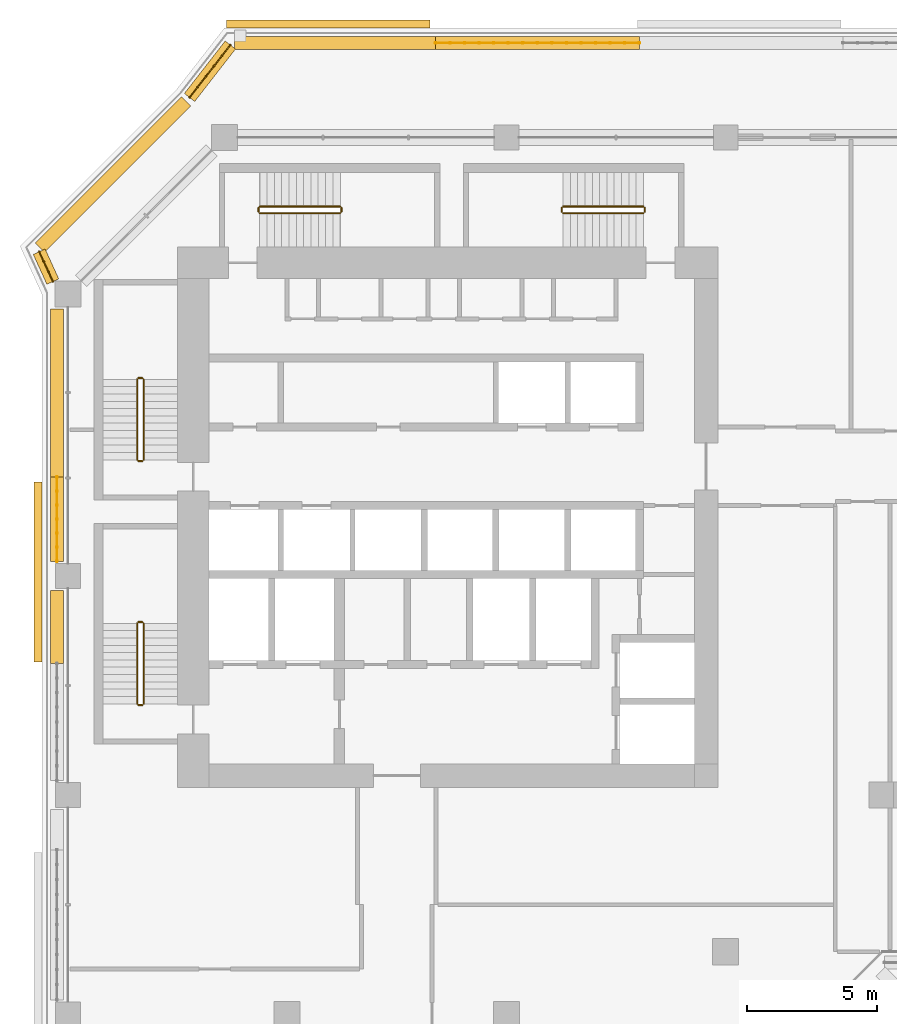
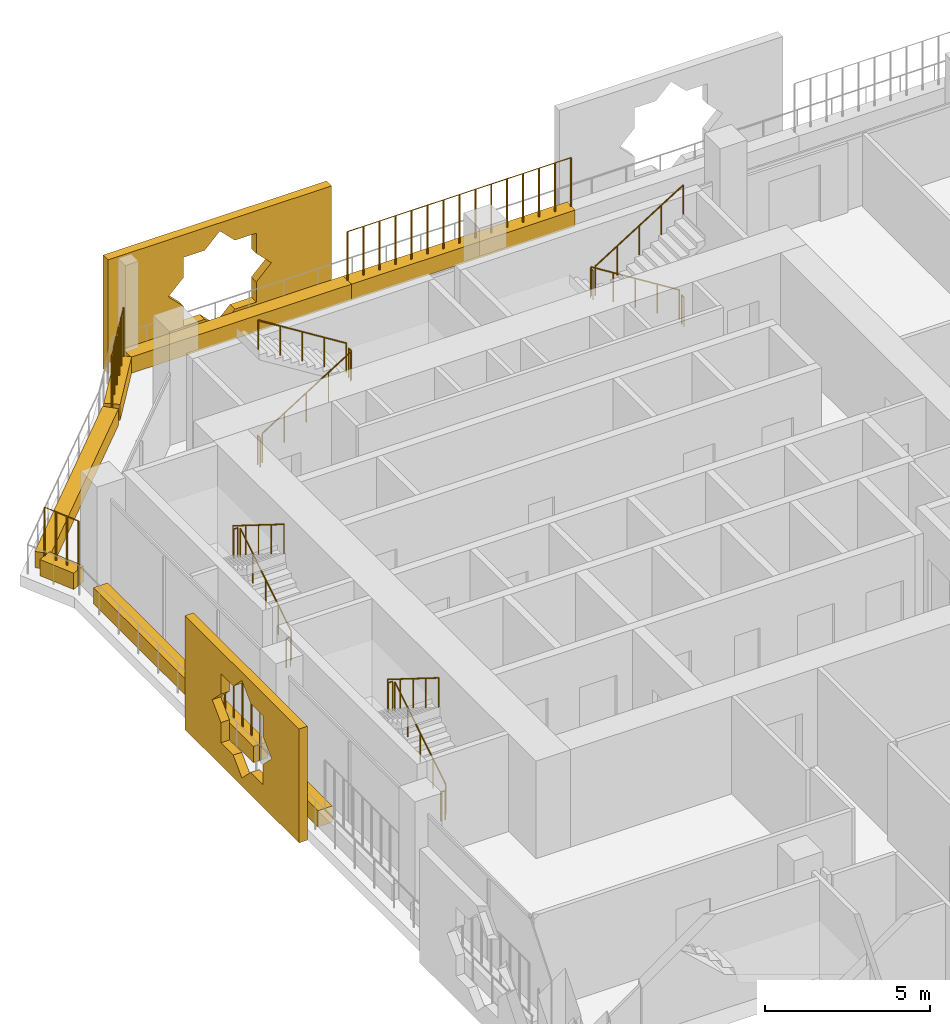
# One storey, part 19 of 23: 20 railings, 10 coverings.
"""IFC4 building model written with IfcOpenShell, lengths in metres."""

from ifc_helpers import new_model, si_unit, direction, frame, origin, origin_2d, place, context, subcontext, project, spatial, polyline, rectangle, circle, outline, extrude, material, material_profile, profile_set, type_object, element, save


model = new_model("IFC4")

# Units and contexts
model_context = context("Model", 3, precision=1e-05, world=origin(), true_north=direction((0.0, 1.0)))
body_context = subcontext(model_context, "Body", "Model", "MODEL_VIEW")
ifc_project = project(units=[si_unit("LENGTHUNIT", "METRE"), si_unit("AREAUNIT", "SQUARE_METRE"), si_unit("VOLUMEUNIT", "CUBIC_METRE"), si_unit("PLANEANGLEUNIT", "RADIAN"), si_unit("MASSUNIT", "GRAM", prefix="KILO")], contexts=[model_context])

# Site, building, storey
site_placement = place(None, origin())
site = spatial("IfcSite", under=ifc_project, at=site_placement, CompositionType="ELEMENT")
building_placement = place(site_placement, origin())
building = spatial("IfcBuilding", under=site, at=building_placement, Name="Kawkab Arch Medical Tower", CompositionType="ELEMENT")
storey_placement = place(building_placement, frame((0.0, 0.0, 175.199951171875)))
storey = spatial("IfcBuildingStorey", under=building, at=storey_placement, Name="L40", CompositionType="ELEMENT", Elevation=175.199951171875)

# Coverings
ifc_material_1 = material(Name="Bronze anodised aluminium mashrabiya panel, eight-point star pattern", Category="aluminium")
ifc_material_profile_1 = material_profile(ifc_material_1, outline(polyline([(-3.449951171875, -2.10009765625), (3.449951171875, -2.10009765625), (3.449951171875, 2.10009765625), (-3.449951171875, 2.10009765625), (-3.449951171875, -2.10009765625)]), holes=[polyline([(1.800048828125, 0.0), (1.272705078125, 0.527099609375), (1.272705078125, 1.272705078125), (0.527099609375, 1.272705078125), (0.0, 1.800048828125), (-0.527099609375, 1.272705078125), (-1.272705078125, 1.272705078125), (-1.272705078125, 0.527099609375), (-1.800048828125, 0.0), (-1.272705078125, -0.527099609375), (-1.272705078125, -1.272705078125), (-0.527099609375, -1.272705078125), (0.0, -1.800048828125), (0.527099609375, -1.272705078125), (1.272705078125, -1.272705078125), (1.272705078125, -0.527099609375), (1.800048828125, 0.0)])]), Name="Mashrabiya panel 6900x4200")
ifc_profile_set_1 = profile_set([ifc_material_profile_1], Name="Bronze anodised aluminium mashrabiya panel, eight-point star pattern")
covering_type_1 = type_object("IfcCoveringType", Name="Mashrabiya panel 6900 x 4200", PredefinedType="USERDEFINED", material=ifc_profile_set_1)
covering_1_placement = place(storey_placement, frame((-1.0, -16.64892578125, 1.699951171875), z_axis=(-1.0, 0.0, 0.0), x_axis=(0.0, -1.0, 0.0)))
element("IfcCovering", 1, at=covering_1_placement, inside=storey, type_object=covering_type_1, Name="Mashrabiya panel L40.LOG-01-01.4", ObjectType="SCREEN", PredefinedType="USERDEFINED", context=body_context, shape_type="SweptSolid", body=[
    extrude(outline(polyline([(-3.449951171875, -2.10009765625), (3.449951171875, -2.10009765625), (3.449951171875, 2.10009765625), (-3.449951171875, 2.10009765625), (-3.449951171875, -2.10009765625)]), holes=[polyline([(1.800048828125, 0.0), (1.272705078125, 0.527099609375), (1.272705078125, 1.272705078125), (0.527099609375, 1.272705078125), (0.0, 1.800048828125), (-0.527099609375, 1.272705078125), (-1.272705078125, 1.272705078125), (-1.272705078125, 0.527099609375), (-1.800048828125, 0.0), (-1.272705078125, -0.527099609375), (-1.272705078125, -1.272705078125), (-0.527099609375, -1.272705078125), (0.0, -1.800048828125), (0.527099609375, -1.272705078125), (1.272705078125, -1.272705078125), (1.272705078125, -0.527099609375), (1.800048828125, 0.0)])]), origin(), (0.0, 0.0, 1.0), 0.300048828125),
])
ifc_material_2 = material(Name="Bronze anodised aluminium mashrabiya panel, eight-point star pattern", Category="aluminium")
ifc_material_profile_2 = material_profile(ifc_material_2, outline(polyline([(-3.89990234375, -2.10009765625), (3.89990234375, -2.10009765625), (3.89990234375, 2.10009765625), (-3.89990234375, 2.10009765625), (-3.89990234375, -2.10009765625)]), holes=[polyline([(1.800048828125, 0.0), (1.272705078125, 0.527099609375), (1.272705078125, 1.272705078125), (0.527099609375, 1.272705078125), (0.0, 1.800048828125), (-0.527099609375, 1.272705078125), (-1.272705078125, 1.272705078125), (-1.272705078125, 0.527099609375), (-1.800048828125, 0.0), (-1.272705078125, -0.527099609375), (-1.272705078125, -1.272705078125), (-0.527099609375, -1.272705078125), (0.0, -1.800048828125), (0.527099609375, -1.272705078125), (1.272705078125, -1.272705078125), (1.272705078125, -0.527099609375), (1.800048828125, 0.0)])]), Name="Mashrabiya panel 7800x4200")
ifc_profile_set_2 = profile_set([ifc_material_profile_2], Name="Bronze anodised aluminium mashrabiya panel, eight-point star pattern")
covering_type_2 = type_object("IfcCoveringType", Name="Mashrabiya panel 7800 x 4200", PredefinedType="USERDEFINED", material=ifc_profile_set_2)
covering_2_placement = place(storey_placement, frame((9.967041015625, 4.199951171875, 1.699951171875), z_axis=(0.0, 1.0, 0.0), x_axis=(-1.0, 0.0, 0.0)))
element("IfcCovering", 2, at=covering_2_placement, inside=storey, type_object=covering_type_2, Name="Mashrabiya panel L40.LOG-01-01.5", ObjectType="SCREEN", PredefinedType="USERDEFINED", context=body_context, shape_type="SweptSolid", body=[
    extrude(outline(polyline([(-3.89990234375, -2.10009765625), (3.89990234375, -2.10009765625), (3.89990234375, 2.10009765625), (-3.89990234375, 2.10009765625), (-3.89990234375, -2.10009765625)]), holes=[polyline([(1.800048828125, 0.0), (1.272705078125, 0.527099609375), (1.272705078125, 1.272705078125), (0.527099609375, 1.272705078125), (0.0, 1.800048828125), (-0.527099609375, 1.272705078125), (-1.272705078125, 1.272705078125), (-1.272705078125, 0.527099609375), (-1.800048828125, 0.0), (-1.272705078125, -0.527099609375), (-1.272705078125, -1.272705078125), (-0.527099609375, -1.272705078125), (0.0, -1.800048828125), (0.527099609375, -1.272705078125), (1.272705078125, -1.272705078125), (1.272705078125, -0.527099609375), (1.800048828125, 0.0)])]), origin(), (0.0, 0.0, 1.0), 0.300048828125),
])
ifc_material_3 = material(Name="Planting soil in a precast trough", Category="concrete")
ifc_material_profile_3 = material_profile(ifc_material_3, rectangle(XDim=0.5, YDim=0.60009765625, at=origin_2d()), Name="Trough 500x600")
ifc_profile_set_3 = profile_set([ifc_material_profile_3], Name="Planting soil in a precast trough")
covering_type_3 = type_object("IfcCoveringType", Name="Planter trough 500 x 600", PredefinedType="USERDEFINED", material=ifc_profile_set_3)
covering_3_placement = place(storey_placement, frame((-0.419921875, -20.157958984375, 0.300048828125), z_axis=(0.0, 1.0, 0.0), x_axis=(-1.0, 0.0, 0.0)))
element("IfcCovering", 3, at=covering_3_placement, inside=storey, type_object=covering_type_3, Name="Planter L40.LOG-01-01.12", ObjectType="PLANTER", PredefinedType="USERDEFINED", context=body_context, shape_type="SweptSolid", body=[
    extrude(rectangle(XDim=0.5, YDim=0.60009765625, at=origin_2d()), origin(), (0.0, 0.0, 1.0), 2.802978515625),
])
covering_4_placement = place(storey_placement, frame((-0.419921875, -16.2451171875, 0.300048828125), z_axis=(0.0, 1.0, 0.0), x_axis=(-1.0, 0.0, 0.0)))
element("IfcCovering", 4, at=covering_4_placement, inside=storey, type_object=covering_type_3, Name="Planter L40.LOG-01-01.13", ObjectType="PLANTER", PredefinedType="USERDEFINED", context=body_context, shape_type="SweptSolid", body=[
    extrude(rectangle(XDim=0.5, YDim=0.60009765625, at=origin_2d()), origin(), (0.0, 0.0, 1.0), 3.22900390625),
])
covering_5_placement = place(storey_placement, frame((-0.419921875, -13.01611328125, 0.300048828125), z_axis=(0.0, 1.0, 0.0), x_axis=(-1.0, 0.0, 0.0)))
element("IfcCovering", 5, at=covering_5_placement, inside=storey, type_object=covering_type_3, Name="Planter L40.LOG-01-01.14", ObjectType="PLANTER", PredefinedType="USERDEFINED", context=body_context, shape_type="SweptSolid", body=[
    extrude(rectangle(XDim=0.5, YDim=0.60009765625, at=origin_2d()), origin(), (0.0, 0.0, 1.0), 6.43603515625),
])
covering_6_placement = place(storey_placement, frame((-0.580078125, -5.52294921875, 0.300048828125), z_axis=(-0.415089762627, 0.909780461959, 0.0), x_axis=(-0.909780461959, -0.415089762627, 0.0)))
element("IfcCovering", 6, at=covering_6_placement, inside=storey, type_object=covering_type_3, Name="Planter L40.LOG-01-01.15", ObjectType="PLANTER", PredefinedType="USERDEFINED", context=body_context, shape_type="SweptSolid", body=[
    extrude(rectangle(XDim=0.5, YDim=0.60009765625, at=origin_2d()), origin(), (0.0, 0.0, 1.0), 1.257568359375),
])
covering_7_placement = place(storey_placement, frame((-1.072998046875, -4.217041015625, 0.300048828125), z_axis=(0.707106781187, 0.707106781187, 0.0), x_axis=(-0.707106781187, 0.707106781187, 0.0)))
element("IfcCovering", 7, at=covering_7_placement, inside=storey, type_object=covering_type_3, Name="Planter L40.LOG-01-01.16", ObjectType="PLANTER", PredefinedType="USERDEFINED", context=body_context, shape_type="SweptSolid", body=[
    extrude(rectangle(XDim=0.5, YDim=0.60009765625, at=origin_2d()), origin(), (0.0, 0.0, 1.0), 7.919677734375),
])
covering_8_placement = place(storey_placement, frame((4.658935546875, 1.531982421875, 0.300048828125), z_axis=(0.61404021143, 0.789274742246, 0.0), x_axis=(-0.789274742246, 0.61404021143, 0.0)))
element("IfcCovering", 8, at=covering_8_placement, inside=storey, type_object=covering_type_3, Name="Planter L40.LOG-01-01.17", ObjectType="PLANTER", PredefinedType="USERDEFINED", context=body_context, shape_type="SweptSolid", body=[
    extrude(rectangle(XDim=0.5, YDim=0.60009765625, at=origin_2d()), origin(), (0.0, 0.0, 1.0), 2.54541015625),
])
covering_9_placement = place(storey_placement, frame((6.384033203125, 3.6201171875, 0.300048828125), z_axis=(1.0, 0.0, 0.0), x_axis=(0.0, 1.0, 0.0)))
element("IfcCovering", 9, at=covering_9_placement, inside=storey, type_object=covering_type_3, Name="Planter L40.LOG-01-01.18", ObjectType="PLANTER", PredefinedType="USERDEFINED", context=body_context, shape_type="SweptSolid", body=[
    extrude(rectangle(XDim=0.5, YDim=0.60009765625, at=origin_2d()), origin(), (0.0, 0.0, 1.0), 7.703857421875),
])
covering_10_placement = place(storey_placement, frame((14.087890625, 3.6201171875, 0.300048828125), z_axis=(1.0, 0.0, 0.0), x_axis=(0.0, 1.0, 0.0)))
element("IfcCovering", 10, at=covering_10_placement, inside=storey, type_object=covering_type_3, Name="Planter L40.LOG-01-01.19", ObjectType="PLANTER", PredefinedType="USERDEFINED", context=body_context, shape_type="SweptSolid", body=[
    extrude(rectangle(XDim=0.5, YDim=0.60009765625, at=origin_2d()), origin(), (0.0, 0.0, 1.0), 7.80517578125),
])

# Railings
ifc_material_4 = material(Name="Bronze anodised aluminium trellis for climbing plants", Category="aluminium")
railing_type_1 = type_object("IfcRailingType", Name="Planting trellis 2400", PredefinedType="USERDEFINED", material=ifc_material_4)
railing_1_placement = place(storey_placement, frame((-0.419921875, -16.2451171875, 0.0)))
element("IfcRailing", 11, at=railing_1_placement, inside=storey, type_object=railing_type_1, Name="Planting trellis L40.LOG-01-01.13", ObjectType="TRELLIS", PredefinedType="USERDEFINED", context=body_context, shape_type="SweptSolid", body=[
    extrude(circle(Radius=0.01513671875, at=origin_2d()), frame((0.0, 0.0, 2.384765625), z_axis=(0.0, 1.0, 0.0), x_axis=(-1.0, 0.0, 0.0)), (0.0, 0.0, 1.0), 3.22900390625),
    extrude(circle(Radius=0.030029296875, at=origin_2d()), origin(), (0.0, 0.0, 1.0), 2.369873046875),
    extrude(circle(Radius=0.030029296875, at=origin_2d()), frame((0.0, 0.5380859375, 0.0)), (0.0, 0.0, 1.0), 2.369873046875),
    extrude(circle(Radius=0.030029296875, at=origin_2d()), frame((0.0, 1.076416015625, 0.0)), (0.0, 0.0, 1.0), 2.369873046875),
    extrude(circle(Radius=0.030029296875, at=origin_2d()), frame((0.0, 1.614501953125, 0.0)), (0.0, 0.0, 1.0), 2.369873046875),
    extrude(circle(Radius=0.030029296875, at=origin_2d()), frame((0.0, 2.152587890625, 0.0)), (0.0, 0.0, 1.0), 2.369873046875),
    extrude(circle(Radius=0.030029296875, at=origin_2d()), frame((0.0, 2.69091796875, 0.0)), (0.0, 0.0, 1.0), 2.369873046875),
    extrude(circle(Radius=0.030029296875, at=origin_2d()), frame((0.0, 3.22900390625, 0.0)), (0.0, 0.0, 1.0), 2.369873046875),
])
railing_2_placement = place(storey_placement, frame((-0.580078125, -5.52294921875, 0.0)))
element("IfcRailing", 12, at=railing_2_placement, inside=storey, type_object=railing_type_1, Name="Planting trellis L40.LOG-01-01.15", ObjectType="TRELLIS", PredefinedType="USERDEFINED", context=body_context, shape_type="SweptSolid", body=[
    extrude(circle(Radius=0.01513671875, at=origin_2d()), frame((0.0, 0.0, 2.384765625), z_axis=(-0.415089762627, 0.909780461959, 0.0), x_axis=(-0.909780461959, -0.415089762627, 0.0)), (0.0, 0.0, 1.0), 1.257568359375),
    extrude(circle(Radius=0.030029296875, at=origin_2d()), origin(), (0.0, 0.0, 1.0), 2.369873046875),
    extrude(circle(Radius=0.030029296875, at=origin_2d()), frame((-0.174072265625, 0.38134765625, 0.0)), (0.0, 0.0, 1.0), 2.369873046875),
    extrude(circle(Radius=0.030029296875, at=origin_2d()), frame((-0.347900390625, 0.7626953125, 0.0)), (0.0, 0.0, 1.0), 2.369873046875),
    extrude(circle(Radius=0.030029296875, at=origin_2d()), frame((-0.52197265625, 1.14404296875, 0.0)), (0.0, 0.0, 1.0), 2.369873046875),
])
railing_3_placement = place(storey_placement, frame((4.658935546875, 1.531982421875, 0.0)))
element("IfcRailing", 13, at=railing_3_placement, inside=storey, type_object=railing_type_1, Name="Planting trellis L40.LOG-01-01.17", ObjectType="TRELLIS", PredefinedType="USERDEFINED", context=body_context, shape_type="SweptSolid", body=[
    extrude(circle(Radius=0.01513671875, at=origin_2d()), frame((0.0, 0.0, 2.384765625), z_axis=(0.61404021143, 0.789274742246, 0.0), x_axis=(-0.789274742246, 0.61404021143, 0.0)), (0.0, 0.0, 1.0), 2.54541015625),
    extrude(circle(Radius=0.030029296875, at=origin_2d()), origin(), (0.0, 0.0, 1.0), 2.369873046875),
    extrude(circle(Radius=0.030029296875, at=origin_2d()), frame((0.3125, 0.40185546875, 0.0)), (0.0, 0.0, 1.0), 2.369873046875),
    extrude(circle(Radius=0.030029296875, at=origin_2d()), frame((0.625244140625, 0.8037109375, 0.0)), (0.0, 0.0, 1.0), 2.369873046875),
    extrude(circle(Radius=0.030029296875, at=origin_2d()), frame((0.937744140625, 1.205322265625, 0.0)), (0.0, 0.0, 1.0), 2.369873046875),
    extrude(circle(Radius=0.030029296875, at=origin_2d()), frame((1.25048828125, 1.607177734375, 0.0)), (0.0, 0.0, 1.0), 2.369873046875),
    extrude(circle(Radius=0.030029296875, at=origin_2d()), frame((1.56298828125, 2.009033203125, 0.0)), (0.0, 0.0, 1.0), 2.369873046875),
])
railing_4_placement = place(storey_placement, frame((14.087890625, 3.6201171875, 0.0)))
element("IfcRailing", 14, at=railing_4_placement, inside=storey, type_object=railing_type_1, Name="Planting trellis L40.LOG-01-01.19", ObjectType="TRELLIS", PredefinedType="USERDEFINED", context=body_context, shape_type="SweptSolid", body=[
    extrude(circle(Radius=0.01513671875, at=origin_2d()), frame((0.0, 0.0, 2.384765625), z_axis=(1.0, 0.0, 0.0), x_axis=(0.0, 1.0, 0.0)), (0.0, 0.0, 1.0), 7.80517578125),
    extrude(circle(Radius=0.030029296875, at=origin_2d()), origin(), (0.0, 0.0, 1.0), 2.369873046875),
    extrude(circle(Radius=0.030029296875, at=origin_2d()), frame((0.5576171875, 0.0, 0.0)), (0.0, 0.0, 1.0), 2.369873046875),
    extrude(circle(Radius=0.030029296875, at=origin_2d()), frame((1.114990234375, 0.0, 0.0)), (0.0, 0.0, 1.0), 2.369873046875),
    extrude(circle(Radius=0.030029296875, at=origin_2d()), frame((1.672607421875, 0.0, 0.0)), (0.0, 0.0, 1.0), 2.369873046875),
    extrude(circle(Radius=0.030029296875, at=origin_2d()), frame((2.22998046875, 0.0, 0.0)), (0.0, 0.0, 1.0), 2.369873046875),
    extrude(circle(Radius=0.030029296875, at=origin_2d()), frame((2.78759765625, 0.0, 0.0)), (0.0, 0.0, 1.0), 2.369873046875),
    extrude(circle(Radius=0.030029296875, at=origin_2d()), frame((3.344970703125, 0.0, 0.0)), (0.0, 0.0, 1.0), 2.369873046875),
    extrude(circle(Radius=0.030029296875, at=origin_2d()), frame((3.902587890625, 0.0, 0.0)), (0.0, 0.0, 1.0), 2.369873046875),
    extrude(circle(Radius=0.030029296875, at=origin_2d()), frame((4.460205078125, 0.0, 0.0)), (0.0, 0.0, 1.0), 2.369873046875),
    extrude(circle(Radius=0.030029296875, at=origin_2d()), frame((5.017578125, 0.0, 0.0)), (0.0, 0.0, 1.0), 2.369873046875),
    extrude(circle(Radius=0.030029296875, at=origin_2d()), frame((5.5751953125, 0.0, 0.0)), (0.0, 0.0, 1.0), 2.369873046875),
    extrude(circle(Radius=0.030029296875, at=origin_2d()), frame((6.132568359375, 0.0, 0.0)), (0.0, 0.0, 1.0), 2.369873046875),
    extrude(circle(Radius=0.030029296875, at=origin_2d()), frame((6.690185546875, 0.0, 0.0)), (0.0, 0.0, 1.0), 2.369873046875),
    extrude(circle(Radius=0.030029296875, at=origin_2d()), frame((7.24755859375, 0.0, 0.0)), (0.0, 0.0, 1.0), 2.369873046875),
    extrude(circle(Radius=0.030029296875, at=origin_2d()), frame((7.80517578125, 0.0, 0.0)), (0.0, 0.0, 1.0), 2.369873046875),
])
ifc_material_5 = material(Name="Stainless steel", Category="steel")
railing_type_2 = type_object("IfcRailingType", Name="Stair guard 1100", PredefinedType="GUARDRAIL", material=ifc_material_5)
railing_5_placement = place(storey_placement, frame((2.89990234375, -12.35009765625, 0.175048828125)))
element("IfcRailing", 15, at=railing_5_placement, inside=storey, type_object=railing_type_2, Name="L40 ST1 stair guard 1", PredefinedType="GUARDRAIL", context=body_context, shape_type="SweptSolid", body=[
    extrude(circle(Radius=0.02392578125, at=origin_2d()), frame((0.0, 0.0, 1.076171875), z_axis=(0.0, 0.847998304005, 0.529998940003), x_axis=(-1.0, 0.0, 0.0)), (0.0, 0.0, 1.0), 3.632080078125),
    extrude(circle(Radius=0.02099609375, at=origin_2d()), origin(), (0.0, 0.0, 1.0), 1.052001953125),
    extrude(circle(Radius=0.02099609375, at=origin_2d()), frame((0.0, 0.77001953125, 0.481201171875)), (0.0, 0.0, 1.0), 1.052001953125),
    extrude(circle(Radius=0.02099609375, at=origin_2d()), frame((0.0, 1.5400390625, 0.96240234375)), (0.0, 0.0, 1.0), 1.052001953125),
    extrude(circle(Radius=0.02099609375, at=origin_2d()), frame((0.0, 2.31005859375, 1.44384765625)), (0.0, 0.0, 1.0), 1.052001953125),
    extrude(circle(Radius=0.02099609375, at=origin_2d()), frame((0.0, 3.080078125, 1.925048828125)), (0.0, 0.0, 1.0), 1.052001953125),
])
railing_6_placement = place(storey_placement, frame((2.85009765625, -9.219970703125, 2.10009765625)))
element("IfcRailing", 16, at=railing_6_placement, inside=storey, type_object=railing_type_2, Name="L40 ST1 stair guard 2", PredefinedType="GUARDRAIL", context=body_context, shape_type="SweptSolid", body=[
    extrude(circle(Radius=0.02392578125, at=origin_2d()), frame((0.0, 0.0, 1.076171875), z_axis=(-1.0, 0.0, 0.0), x_axis=(0.0, -1.0, 0.0)), (0.0, 0.0, 1.0), 0.150146484375),
    extrude(circle(Radius=0.02099609375, at=origin_2d()), origin(), (0.0, 0.0, 1.0), 1.052001953125),
    extrude(circle(Radius=0.02099609375, at=origin_2d()), frame((-0.150146484375, 0.0, 0.0)), (0.0, 0.0, 1.0), 1.052001953125),
])
railing_7_placement = place(storey_placement, frame((2.64990234375, -9.27001953125, 2.275146484375)))
element("IfcRailing", 17, at=railing_7_placement, inside=storey, type_object=railing_type_2, Name="L40 ST1 stair guard 3", PredefinedType="GUARDRAIL", context=body_context, shape_type="SweptSolid", body=[
    extrude(circle(Radius=0.02392578125, at=origin_2d()), frame((0.0, 0.0, 1.076171875), z_axis=(0.0, -0.848028513186, 0.529950602248), x_axis=(1.0, 0.0, 0.0)), (0.0, 0.0, 1.0), 3.632080078125),
    extrude(circle(Radius=0.02099609375, at=origin_2d()), origin(), (0.0, 0.0, 1.0), 1.052001953125),
    extrude(circle(Radius=0.02099609375, at=origin_2d()), frame((0.0, -0.77001953125, 0.481201171875)), (0.0, 0.0, 1.0), 1.052001953125),
    extrude(circle(Radius=0.02099609375, at=origin_2d()), frame((0.0, -1.5400390625, 0.96240234375)), (0.0, 0.0, 1.0), 1.052001953125),
    extrude(circle(Radius=0.02099609375, at=origin_2d()), frame((0.0, -2.31005859375, 1.443603515625)), (0.0, 0.0, 1.0), 1.052001953125),
    extrude(circle(Radius=0.02099609375, at=origin_2d()), frame((0.0, -3.080078125, 1.9248046875)), (0.0, 0.0, 1.0), 1.052001953125),
])
railing_8_placement = place(storey_placement, frame((2.85009765625, -12.39990234375, 0.0)))
element("IfcRailing", 18, at=railing_8_placement, inside=storey, type_object=railing_type_2, Name="L40 ST1 stair guard 4", PredefinedType="GUARDRAIL", context=body_context, shape_type="SweptSolid", body=[
    extrude(circle(Radius=0.02392578125, at=origin_2d()), frame((0.0, 0.0, 1.076171875), z_axis=(-1.0, 0.0, 0.0), x_axis=(0.0, -1.0, 0.0)), (0.0, 0.0, 1.0), 0.150146484375),
    extrude(circle(Radius=0.02099609375, at=origin_2d()), origin(), (0.0, 0.0, 1.0), 1.052001953125),
    extrude(circle(Radius=0.02099609375, at=origin_2d()), frame((-0.150146484375, 0.0, 0.0)), (0.0, 0.0, 1.0), 1.052001953125),
])
railing_9_placement = place(storey_placement, frame((2.89990234375, -21.699951171875, 0.175048828125)))
element("IfcRailing", 19, at=railing_9_placement, inside=storey, type_object=railing_type_2, Name="L40 ST2 stair guard 1", PredefinedType="GUARDRAIL", context=body_context, shape_type="SweptSolid", body=[
    extrude(circle(Radius=0.02392578125, at=origin_2d()), frame((0.0, 0.0, 1.076171875), z_axis=(0.0, 0.847979421464, 0.530029150871), x_axis=(-1.0, 0.0, 0.0)), (0.0, 0.0, 1.0), 3.632080078125),
    extrude(circle(Radius=0.02099609375, at=origin_2d()), origin(), (0.0, 0.0, 1.0), 1.052001953125),
    extrude(circle(Radius=0.02099609375, at=origin_2d()), frame((0.0, 0.77001953125, 0.481201171875)), (0.0, 0.0, 1.0), 1.052001953125),
    extrude(circle(Radius=0.02099609375, at=origin_2d()), frame((0.0, 1.5400390625, 0.96240234375)), (0.0, 0.0, 1.0), 1.052001953125),
    extrude(circle(Radius=0.02099609375, at=origin_2d()), frame((0.0, 2.309814453125, 1.44384765625)), (0.0, 0.0, 1.0), 1.052001953125),
    extrude(circle(Radius=0.02099609375, at=origin_2d()), frame((0.0, 3.079833984375, 1.925048828125)), (0.0, 0.0, 1.0), 1.052001953125),
])
railing_10_placement = place(storey_placement, frame((2.85009765625, -18.570068359375, 2.10009765625)))
element("IfcRailing", 20, at=railing_10_placement, inside=storey, type_object=railing_type_2, Name="L40 ST2 stair guard 2", PredefinedType="GUARDRAIL", context=body_context, shape_type="SweptSolid", body=[
    extrude(circle(Radius=0.02392578125, at=origin_2d()), frame((0.0, 0.0, 1.076171875), z_axis=(-1.0, 0.0, 0.0), x_axis=(0.0, -1.0, 0.0)), (0.0, 0.0, 1.0), 0.150146484375),
    extrude(circle(Radius=0.02099609375, at=origin_2d()), origin(), (0.0, 0.0, 1.0), 1.052001953125),
    extrude(circle(Radius=0.02099609375, at=origin_2d()), frame((-0.150146484375, 0.0, 0.0)), (0.0, 0.0, 1.0), 1.052001953125),
])
railing_11_placement = place(storey_placement, frame((2.64990234375, -18.6201171875, 2.275146484375)))
element("IfcRailing", 21, at=railing_11_placement, inside=storey, type_object=railing_type_2, Name="L40 ST2 stair guard 3", PredefinedType="GUARDRAIL", context=body_context, shape_type="SweptSolid", body=[
    extrude(circle(Radius=0.02392578125, at=origin_2d()), frame((0.0, 0.0, 1.076171875), z_axis=(0.0, -0.848009633417, 0.529980812513), x_axis=(1.0, 0.0, 0.0)), (0.0, 0.0, 1.0), 3.6318359375),
    extrude(circle(Radius=0.02099609375, at=origin_2d()), origin(), (0.0, 0.0, 1.0), 1.052001953125),
    extrude(circle(Radius=0.02099609375, at=origin_2d()), frame((0.0, -0.77001953125, 0.481201171875)), (0.0, 0.0, 1.0), 1.052001953125),
    extrude(circle(Radius=0.02099609375, at=origin_2d()), frame((0.0, -1.5400390625, 0.96240234375)), (0.0, 0.0, 1.0), 1.052001953125),
    extrude(circle(Radius=0.02099609375, at=origin_2d()), frame((0.0, -2.309814453125, 1.443603515625)), (0.0, 0.0, 1.0), 1.052001953125),
    extrude(circle(Radius=0.02099609375, at=origin_2d()), frame((0.0, -3.079833984375, 1.9248046875)), (0.0, 0.0, 1.0), 1.052001953125),
])
railing_12_placement = place(storey_placement, frame((2.85009765625, -21.75, 0.0)))
element("IfcRailing", 22, at=railing_12_placement, inside=storey, type_object=railing_type_2, Name="L40 ST2 stair guard 4", PredefinedType="GUARDRAIL", context=body_context, shape_type="SweptSolid", body=[
    extrude(circle(Radius=0.02392578125, at=origin_2d()), frame((0.0, 0.0, 1.076171875), z_axis=(-1.0, 0.0, 0.0), x_axis=(0.0, -1.0, 0.0)), (0.0, 0.0, 1.0), 0.150146484375),
    extrude(circle(Radius=0.02099609375, at=origin_2d()), origin(), (0.0, 0.0, 1.0), 1.052001953125),
    extrude(circle(Radius=0.02099609375, at=origin_2d()), frame((-0.150146484375, 0.0, 0.0)), (0.0, 0.0, 1.0), 1.052001953125),
])
railing_13_placement = place(storey_placement, frame((7.35009765625, -2.89990234375, 0.175048828125)))
element("IfcRailing", 23, at=railing_13_placement, inside=storey, type_object=railing_type_2, Name="L40 ST3 stair guard 1", PredefinedType="GUARDRAIL", context=body_context, shape_type="SweptSolid", body=[
    extrude(circle(Radius=0.02392578125, at=origin_2d()), frame((0.0, 0.0, 1.076171875), z_axis=(0.847979421464, 0.0, 0.530029150871), x_axis=(0.0, 1.0, 0.0)), (0.0, 0.0, 1.0), 3.632080078125),
    extrude(circle(Radius=0.02099609375, at=origin_2d()), origin(), (0.0, 0.0, 1.0), 1.052001953125),
    extrude(circle(Radius=0.02099609375, at=origin_2d()), frame((0.77001953125, 0.0, 0.481201171875)), (0.0, 0.0, 1.0), 1.052001953125),
    extrude(circle(Radius=0.02099609375, at=origin_2d()), frame((1.5400390625, 0.0, 0.96240234375)), (0.0, 0.0, 1.0), 1.052001953125),
    extrude(circle(Radius=0.02099609375, at=origin_2d()), frame((2.309814453125, 0.0, 1.44384765625)), (0.0, 0.0, 1.0), 1.052001953125),
    extrude(circle(Radius=0.02099609375, at=origin_2d()), frame((3.079833984375, 0.0, 1.925048828125)), (0.0, 0.0, 1.0), 1.052001953125),
])
railing_14_placement = place(storey_placement, frame((10.47998046875, -2.85009765625, 2.10009765625)))
element("IfcRailing", 24, at=railing_14_placement, inside=storey, type_object=railing_type_2, Name="L40 ST3 stair guard 2", PredefinedType="GUARDRAIL", context=body_context, shape_type="SweptSolid", body=[
    extrude(circle(Radius=0.02392578125, at=origin_2d()), frame((0.0, 0.0, 1.076171875), z_axis=(0.0, 1.0, 0.0), x_axis=(-1.0, 0.0, 0.0)), (0.0, 0.0, 1.0), 0.150146484375),
    extrude(circle(Radius=0.02099609375, at=origin_2d()), origin(), (0.0, 0.0, 1.0), 1.052001953125),
    extrude(circle(Radius=0.02099609375, at=origin_2d()), frame((0.0, 0.150146484375, 0.0)), (0.0, 0.0, 1.0), 1.052001953125),
])
railing_15_placement = place(storey_placement, frame((10.429931640625, -2.64990234375, 2.275146484375)))
element("IfcRailing", 25, at=railing_15_placement, inside=storey, type_object=railing_type_2, Name="L40 ST3 stair guard 3", PredefinedType="GUARDRAIL", context=body_context, shape_type="SweptSolid", body=[
    extrude(circle(Radius=0.02392578125, at=origin_2d()), frame((0.0, 0.0, 1.076171875), z_axis=(-0.848009633417, 0.0, 0.529980812513), x_axis=(0.0, -1.0, 0.0)), (0.0, 0.0, 1.0), 3.6318359375),
    extrude(circle(Radius=0.02099609375, at=origin_2d()), origin(), (0.0, 0.0, 1.0), 1.052001953125),
    extrude(circle(Radius=0.02099609375, at=origin_2d()), frame((-0.77001953125, 0.0, 0.481201171875)), (0.0, 0.0, 1.0), 1.052001953125),
    extrude(circle(Radius=0.02099609375, at=origin_2d()), frame((-1.5400390625, 0.0, 0.96240234375)), (0.0, 0.0, 1.0), 1.052001953125),
    extrude(circle(Radius=0.02099609375, at=origin_2d()), frame((-2.309814453125, 0.0, 1.443603515625)), (0.0, 0.0, 1.0), 1.052001953125),
    extrude(circle(Radius=0.02099609375, at=origin_2d()), frame((-3.079833984375, 0.0, 1.9248046875)), (0.0, 0.0, 1.0), 1.052001953125),
])
railing_16_placement = place(storey_placement, frame((7.300048828125, -2.85009765625, 0.0)))
element("IfcRailing", 26, at=railing_16_placement, inside=storey, type_object=railing_type_2, Name="L40 ST3 stair guard 4", PredefinedType="GUARDRAIL", context=body_context, shape_type="SweptSolid", body=[
    extrude(circle(Radius=0.02392578125, at=origin_2d()), frame((0.0, 0.0, 1.076171875), z_axis=(0.0, 1.0, 0.0), x_axis=(-1.0, 0.0, 0.0)), (0.0, 0.0, 1.0), 0.150146484375),
    extrude(circle(Radius=0.02099609375, at=origin_2d()), origin(), (0.0, 0.0, 1.0), 1.052001953125),
    extrude(circle(Radius=0.02099609375, at=origin_2d()), frame((0.0, 0.150146484375, 0.0)), (0.0, 0.0, 1.0), 1.052001953125),
])
railing_17_placement = place(storey_placement, frame((22.050048828125, -2.64990234375, 0.175048828125)))
element("IfcRailing", 27, at=railing_17_placement, inside=storey, type_object=railing_type_2, Name="L40 ST4 stair guard 1", PredefinedType="GUARDRAIL", context=body_context, shape_type="SweptSolid", body=[
    extrude(circle(Radius=0.02392578125, at=origin_2d()), frame((0.0, 0.0, 1.076171875), z_axis=(-0.847998304005, 0.0, 0.529998940003), x_axis=(0.0, -1.0, 0.0)), (0.0, 0.0, 1.0), 3.632080078125),
    extrude(circle(Radius=0.02099609375, at=origin_2d()), origin(), (0.0, 0.0, 1.0), 1.052001953125),
    extrude(circle(Radius=0.02099609375, at=origin_2d()), frame((-0.77001953125, 0.0, 0.481201171875)), (0.0, 0.0, 1.0), 1.052001953125),
    extrude(circle(Radius=0.02099609375, at=origin_2d()), frame((-1.5400390625, 0.0, 0.96240234375)), (0.0, 0.0, 1.0), 1.052001953125),
    extrude(circle(Radius=0.02099609375, at=origin_2d()), frame((-2.31005859375, 0.0, 1.44384765625)), (0.0, 0.0, 1.0), 1.052001953125),
    extrude(circle(Radius=0.02099609375, at=origin_2d()), frame((-3.080078125, 0.0, 1.925048828125)), (0.0, 0.0, 1.0), 1.052001953125),
])
railing_18_placement = place(storey_placement, frame((18.919921875, -2.699951171875, 2.10009765625)))
element("IfcRailing", 28, at=railing_18_placement, inside=storey, type_object=railing_type_2, Name="L40 ST4 stair guard 2", PredefinedType="GUARDRAIL", context=body_context, shape_type="SweptSolid", body=[
    extrude(circle(Radius=0.02392578125, at=origin_2d()), frame((0.0, 0.0, 1.076171875), z_axis=(0.0, -1.0, 0.0), x_axis=(1.0, 0.0, 0.0)), (0.0, 0.0, 1.0), 0.150146484375),
    extrude(circle(Radius=0.02099609375, at=origin_2d()), origin(), (0.0, 0.0, 1.0), 1.052001953125),
    extrude(circle(Radius=0.02099609375, at=origin_2d()), frame((0.0, -0.150146484375, 0.0)), (0.0, 0.0, 1.0), 1.052001953125),
])
railing_19_placement = place(storey_placement, frame((18.969970703125, -2.89990234375, 2.275146484375)))
element("IfcRailing", 29, at=railing_19_placement, inside=storey, type_object=railing_type_2, Name="L40 ST4 stair guard 3", PredefinedType="GUARDRAIL", context=body_context, shape_type="SweptSolid", body=[
    extrude(circle(Radius=0.02392578125, at=origin_2d()), frame((0.0, 0.0, 1.076171875), z_axis=(0.848028513186, 0.0, 0.529950602248), x_axis=(0.0, 1.0, 0.0)), (0.0, 0.0, 1.0), 3.632080078125),
    extrude(circle(Radius=0.02099609375, at=origin_2d()), origin(), (0.0, 0.0, 1.0), 1.052001953125),
    extrude(circle(Radius=0.02099609375, at=origin_2d()), frame((0.77001953125, 0.0, 0.481201171875)), (0.0, 0.0, 1.0), 1.052001953125),
    extrude(circle(Radius=0.02099609375, at=origin_2d()), frame((1.5400390625, 0.0, 0.96240234375)), (0.0, 0.0, 1.0), 1.052001953125),
    extrude(circle(Radius=0.02099609375, at=origin_2d()), frame((2.31005859375, 0.0, 1.443603515625)), (0.0, 0.0, 1.0), 1.052001953125),
    extrude(circle(Radius=0.02099609375, at=origin_2d()), frame((3.080078125, 0.0, 1.9248046875)), (0.0, 0.0, 1.0), 1.052001953125),
])
railing_20_placement = place(storey_placement, frame((22.10009765625, -2.699951171875, 0.0)))
element("IfcRailing", 30, at=railing_20_placement, inside=storey, type_object=railing_type_2, Name="L40 ST4 stair guard 4", PredefinedType="GUARDRAIL", context=body_context, shape_type="SweptSolid", body=[
    extrude(circle(Radius=0.02392578125, at=origin_2d()), frame((0.0, 0.0, 1.076171875), z_axis=(0.0, -1.0, 0.0), x_axis=(1.0, 0.0, 0.0)), (0.0, 0.0, 1.0), 0.150146484375),
    extrude(circle(Radius=0.02099609375, at=origin_2d()), origin(), (0.0, 0.0, 1.0), 1.052001953125),
    extrude(circle(Radius=0.02099609375, at=origin_2d()), frame((0.0, -0.150146484375, 0.0)), (0.0, 0.0, 1.0), 1.052001953125),
])

save(model, "model.ifc")
